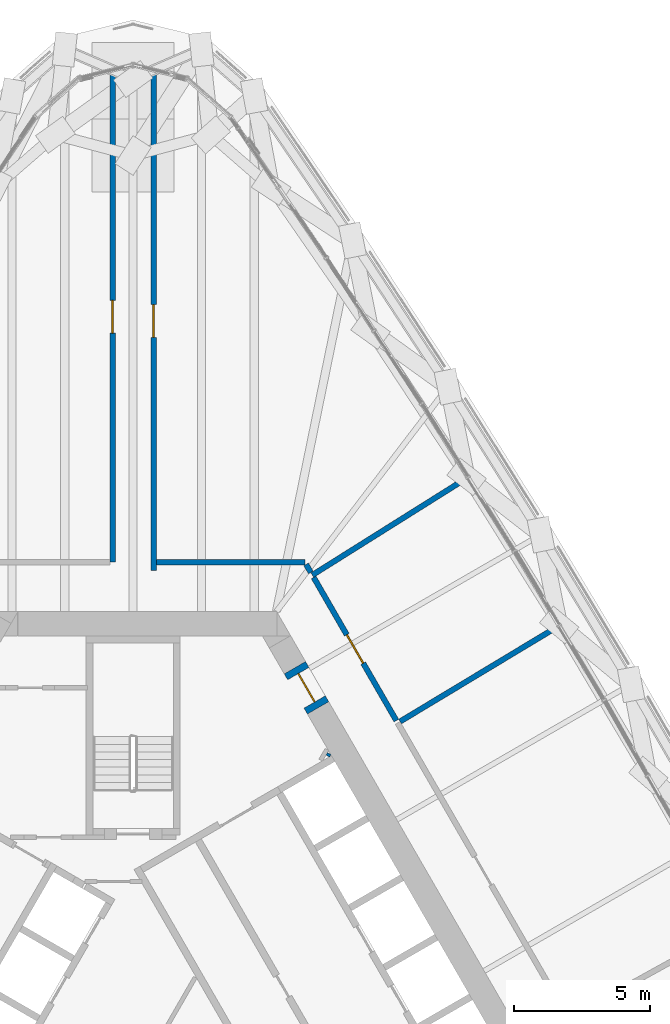
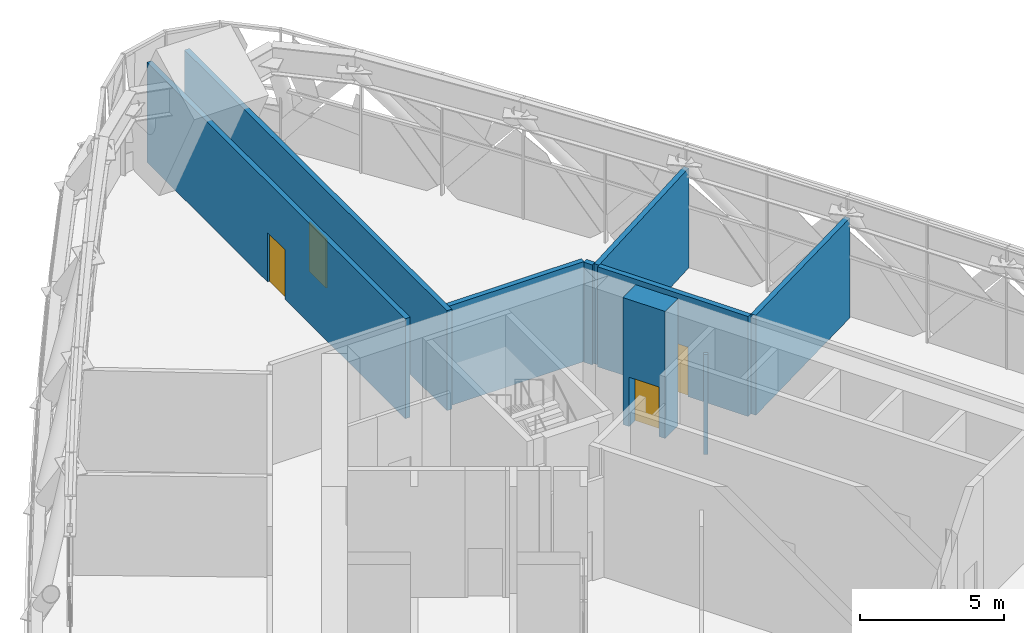
# One storey, part 30 of 43: 9 walls, 4 doors, 4 openings.
"""IFC4 building model written with IfcOpenShell, lengths in metres."""

from ifc_helpers import new_model, si_unit, direction, frame, frame_2d, origin, place, context, subcontext, project, spatial, rectangle, extrude, material, layer, layer_set, type_object, element, fill, save


model = new_model("IFC4")

# Units and contexts
model_context = context("Model", 3, precision=1e-05, world=origin(), true_north=direction((0.0, 1.0)))
body_context = subcontext(model_context, "Body", "Model", "MODEL_VIEW")
ifc_project = project(units=[si_unit("LENGTHUNIT", "METRE"), si_unit("AREAUNIT", "SQUARE_METRE"), si_unit("VOLUMEUNIT", "CUBIC_METRE"), si_unit("PLANEANGLEUNIT", "RADIAN"), si_unit("MASSUNIT", "GRAM", prefix="KILO")], contexts=[model_context])

# Site, building, storey
site_placement = place(None, origin())
site = spatial("IfcSite", under=ifc_project, at=site_placement, CompositionType="ELEMENT")
building_placement = place(site_placement, origin())
building = spatial("IfcBuilding", under=site, at=building_placement, Name="Mestral Congress Tower", CompositionType="ELEMENT")
storey_placement = place(building_placement, frame((0.0, 0.0, 78.300048828125)))
storey = spatial("IfcBuildingStorey", under=building, at=storey_placement, Name="L18", CompositionType="ELEMENT", Elevation=78.300048828125)

# Wall
ifc_material_1 = material(Name="Fire-rated board partition")
ifc_layer_1 = layer(ifc_material_1, 0.14990234375)
ifc_layer_set_1 = layer_set([ifc_layer_1], Name="Fire-rated board partition")
wall_type_1 = type_object("IfcWallType", Name="Core partition 150", PredefinedType="PARTITIONING", material=ifc_layer_set_1)
wall_1_placement = place(storey_placement, frame((7.13134765625, 11.599609375, 0.0), z_axis=(0.0, 0.0, 1.0), x_axis=(0.498600033135, 0.866832167699, 0.0)))
element("IfcWall", 1, at=wall_1_placement, inside=storey, type_object=wall_type_1, Name="L18 core wall", PredefinedType="PARTITIONING", context=body_context, shape_type="SweptSolid", body=[
    extrude(rectangle(XDim=0.106689453125, YDim=0.14990234375, at=frame_2d((0.05322265625, 0.0))), origin(), (0.0, 0.0, 1.0), 4.25),
])

# Wall, opening, door
ifc_material_2 = material(Name="Concrete C60/75", Category="concrete")
ifc_layer_2 = layer(ifc_material_2, 0.89990234375)
ifc_layer_set_2 = layer_set([ifc_layer_2], Name="Concrete C60/75")
wall_type_2 = type_object("IfcWallType", Name="Core wall RC 900", PredefinedType="SOLIDWALL", material=ifc_layer_set_2)
wall_2_placement = place(storey_placement, frame((5.92578125, 14.836181640625, 0.0), z_axis=(0.0, 0.0, 1.0), x_axis=(0.500062241894, -0.865989465428, 0.0)))
wall_2 = element("IfcWall", 2, at=wall_2_placement, inside=storey, type_object=wall_type_2, Name="L18 door wall", PredefinedType="SOLIDWALL", context=body_context, shape_type="SweptSolid", body=[
    extrude(rectangle(XDim=1.699951171875, YDim=0.89990234375, at=frame_2d((0.85009765625, 0.0))), origin(), (0.0, 0.0, 1.0), 5.39990234375),
])
opening_1_placement = place(wall_2_placement, frame((0.25, 0.0, 0.0)))
opening_1 = element("IfcOpeningElement", 3, at=opening_1_placement, cuts=wall_2, Name="Opening XD2", PredefinedType="OPENING", context=body_context, shape_type="SweptSolid", body=[
    extrude(rectangle(XDim=1.199951171875, YDim=2.10009765625, at=frame_2d((0.60009765625, 1.050048828125))), frame((0.0, 0.4599609375, 0.0), z_axis=(0.0, -1.0, 0.0), x_axis=(1.0, 0.0, 0.0)), (0.0, 0.0, 1.0), 0.919921875),
])
ifc_material_3 = material(Name="Fire-rated steel door set", Category="steel")
door_type_1 = type_object("IfcDoorType", Name="Core door XD 1200x2100", OperationType="SINGLE_SWING_LEFT", PredefinedType="DOOR", material=ifc_material_3)
door_1_placement = place(opening_1_placement, origin())
door_1 = element("IfcDoor", 4, at=door_1_placement, inside=storey, type_object=door_type_1, Name="Door XD2", OperationType="SINGLE_SWING_LEFT", OverallHeight=2.10009765625, OverallWidth=1.199951171875, PredefinedType="DOOR", context=body_context, shape_type="SweptSolid", body=[
    extrude(rectangle(XDim=1.199951171875, YDim=2.10009765625, at=frame_2d((0.60009765625, 1.050048828125))), frame((0.0, 0.02490234375, 0.0), z_axis=(0.0, -1.0, 0.0), x_axis=(1.0, 0.0, 0.0)), (0.0, 0.0, 1.0), 0.050048828125),
])
fill(opening_1, door_1)

ifc_material_4 = material(Name="Concrete block wall, plastered", Category="concrete")
ifc_layer_3 = layer(ifc_material_4, 0.199951171875)
ifc_layer_set_3 = layer_set([ifc_layer_3], Name="Concrete block wall, plastered")
wall_type_3 = type_object("IfcWallType", Name="Special partition 200 EI 120", PredefinedType="PARTITIONING", material=ifc_layer_set_3)
wall_3_placement = place(storey_placement, frame((0.75, 18.39990234375, 0.0), z_axis=(0.0, 0.0, 1.0), x_axis=(0.0, 1.0, 0.0)))
wall_3 = element("IfcWall", 5, at=wall_3_placement, inside=storey, type_object=wall_type_3, Name="Partition", PredefinedType="PARTITIONING", context=body_context, shape_type="SweptSolid", body=[
    extrude(rectangle(XDim=18.280517578125, YDim=0.199951171875, at=frame_2d((9.14013671875, 0.0))), origin(), (0.0, 0.0, 1.0), 4.25),
])
opening_2_placement = place(wall_3_placement, frame((8.540283203125, 0.0, 0.0)))
opening_2 = element("IfcOpeningElement", 6, at=opening_2_placement, cuts=wall_3, Name="Opening S18-009", PredefinedType="OPENING", context=body_context, shape_type="SweptSolid", body=[
    extrude(rectangle(XDim=1.199951171875, YDim=2.10009765625, at=frame_2d((0.60009765625, 1.050048828125))), frame((0.0, 0.10986328125, 0.0), z_axis=(0.0, -1.0, 0.0), x_axis=(1.0, 0.0, 0.0)), (0.0, 0.0, 1.0), 0.219970703125),
])
door_type_2 = type_object("IfcDoorType", Name="Refuge door 1200x2100", OperationType="SINGLE_SWING_LEFT", PredefinedType="DOOR", material=ifc_material_3)
door_2_placement = place(opening_2_placement, origin())
door_2 = element("IfcDoor", 7, at=door_2_placement, inside=storey, type_object=door_type_2, Name="Door S18-009", OperationType="SINGLE_SWING_RIGHT", OverallHeight=2.10009765625, OverallWidth=1.199951171875, PredefinedType="DOOR", context=body_context, shape_type="SweptSolid", body=[
    extrude(rectangle(XDim=1.199951171875, YDim=2.10009765625, at=frame_2d((0.60009765625, 1.050048828125))), frame((0.0, 0.02490234375, 0.0), z_axis=(0.0, -1.0, 0.0), x_axis=(1.0, 0.0, 0.0)), (0.0, 0.0, 1.0), 0.050048828125),
])
fill(opening_2, door_2)

wall_4_placement = place(storey_placement, frame((-0.75, 36.680419921875, 0.0), z_axis=(0.0, 0.0, 1.0), x_axis=(0.0, -1.0, 0.0)))
wall_4 = element("IfcWall", 8, at=wall_4_placement, inside=storey, type_object=wall_type_3, Name="Partition", PredefinedType="PARTITIONING", context=body_context, shape_type="SweptSolid", body=[
    extrude(rectangle(XDim=17.98046875, YDim=0.199951171875, at=frame_2d((8.990234375, 0.0))), origin(), (0.0, 0.0, 1.0), 4.25),
])
opening_3_placement = place(wall_4_placement, frame((8.39013671875, 0.0, 0.0)))
opening_3 = element("IfcOpeningElement", 9, at=opening_3_placement, cuts=wall_4, Name="Opening S18-010", PredefinedType="OPENING", context=body_context, shape_type="SweptSolid", body=[
    extrude(rectangle(XDim=1.199951171875, YDim=2.10009765625, at=frame_2d((0.60009765625, 1.050048828125))), frame((0.0, 0.10986328125, 0.0), z_axis=(0.0, -1.0, 0.0), x_axis=(1.0, 0.0, 0.0)), (0.0, 0.0, 1.0), 0.219970703125),
])
door_type_3 = type_object("IfcDoorType", Name="Plant room door 1200x2100", OperationType="SINGLE_SWING_LEFT", PredefinedType="DOOR", material=ifc_material_3)
door_3_placement = place(opening_3_placement, origin())
door_3 = element("IfcDoor", 10, at=door_3_placement, inside=storey, type_object=door_type_3, Name="Door S18-010", OperationType="SINGLE_SWING_RIGHT", OverallHeight=2.10009765625, OverallWidth=1.199951171875, PredefinedType="DOOR", context=body_context, shape_type="SweptSolid", body=[
    extrude(rectangle(XDim=1.199951171875, YDim=2.10009765625, at=frame_2d((0.60009765625, 1.050048828125))), frame((0.0, 0.02490234375, 0.0), z_axis=(0.0, -1.0, 0.0), x_axis=(1.0, 0.0, 0.0)), (0.0, 0.0, 1.0), 0.050048828125),
])
fill(opening_3, door_3)

# Walls
wall_5_placement = place(storey_placement, frame((9.777587890625, 12.864501953125, 0.0), z_axis=(0.0, 0.0, 1.0), x_axis=(0.856637163458, 0.515919344648, 0.0)))
element("IfcWall", 11, at=wall_5_placement, inside=storey, type_object=wall_type_3, Name="Partition", PredefinedType="PARTITIONING", context=body_context, shape_type="SweptSolid", body=[
    extrude(rectangle(XDim=6.755615234375, YDim=0.199951171875, at=frame_2d((3.3779296875, 0.0))), origin(), (0.0, 0.0, 1.0), 4.25),
])
wall_6_placement = place(storey_placement, frame((6.564697265625, 18.229736328125, 0.0), z_axis=(0.0, 0.0, 1.0), x_axis=(0.846937435942, 0.531692561166, 0.0)))
element("IfcWall", 12, at=wall_6_placement, inside=storey, type_object=wall_type_3, Name="Partition", PredefinedType="PARTITIONING", context=body_context, shape_type="SweptSolid", body=[
    extrude(rectangle(XDim=6.681884765625, YDim=0.199951171875, at=frame_2d((3.3408203125, 0.0))), origin(), (0.0, 0.0, 1.0), 4.25),
])

# Wall, opening, door
wall_7_placement = place(storey_placement, frame((9.64208984375, 12.8994140625, 0.0), z_axis=(0.0, 0.0, 1.0), x_axis=(-0.500002829465, 0.866023770186, 0.0)))
wall_7 = element("IfcWall", 13, at=wall_7_placement, inside=storey, type_object=wall_type_3, Name="Partition", PredefinedType="PARTITIONING", context=body_context, shape_type="SweptSolid", body=[
    extrude(rectangle(XDim=6.05517578125, YDim=0.199951171875, at=frame_2d((3.027587890625, 0.0))), origin(), (0.0, 0.0, 1.0), 4.25),
])
opening_4_placement = place(wall_7_placement, frame((2.427490234375, 0.0, 0.0)))
opening_4 = element("IfcOpeningElement", 14, at=opening_4_placement, cuts=wall_7, Name="Opening S18-008", PredefinedType="OPENING", context=body_context, shape_type="SweptSolid", body=[
    extrude(rectangle(XDim=1.199951171875, YDim=2.10009765625, at=frame_2d((0.60009765625, 1.050048828125))), frame((0.0, 0.10986328125, 0.0), z_axis=(0.0, -1.0, 0.0), x_axis=(1.0, 0.0, 0.0)), (0.0, 0.0, 1.0), 0.219970703125),
])
door_4_placement = place(opening_4_placement, origin())
door_4 = element("IfcDoor", 15, at=door_4_placement, inside=storey, type_object=door_type_3, Name="Door S18-008", OperationType="SINGLE_SWING_RIGHT", OverallHeight=2.10009765625, OverallWidth=1.199951171875, PredefinedType="DOOR", context=body_context, shape_type="SweptSolid", body=[
    extrude(rectangle(XDim=1.199951171875, YDim=2.10009765625, at=frame_2d((0.60009765625, 1.050048828125))), frame((0.0, 0.02490234375, 0.0), z_axis=(0.0, -1.0, 0.0), x_axis=(1.0, 0.0, 0.0)), (0.0, 0.0, 1.0), 0.050048828125),
])
fill(opening_4, door_4)

# Walls
wall_8_placement = place(storey_placement, frame((0.85009765625, 18.699951171875, 0.0), z_axis=(0.0, 0.0, 1.0), x_axis=(1.0, 0.0, 0.0)))
element("IfcWall", 16, at=wall_8_placement, inside=storey, type_object=wall_type_3, Name="Partition", PredefinedType="PARTITIONING", context=body_context, shape_type="SweptSolid", body=[
    extrude(rectangle(XDim=5.443115234375, YDim=0.199951171875, at=frame_2d((2.7216796875, 0.0))), origin(), (0.0, 0.0, 1.0), 4.25),
])
wall_9_placement = place(storey_placement, frame((6.338134765625, 18.6220703125, 0.0), z_axis=(0.0, 0.0, 1.0), x_axis=(0.500194616298, -0.865913012852, 0.0)))
element("IfcWall", 17, at=wall_9_placement, inside=storey, type_object=wall_type_3, Name="Partition", PredefinedType="PARTITIONING", context=body_context, shape_type="SweptSolid", body=[
    extrude(rectangle(XDim=0.343017578125, YDim=0.199951171875, at=frame_2d((0.17138671875, 0.0))), origin(), (0.0, 0.0, 1.0), 4.25),
])

save(model, "model.ifc")
